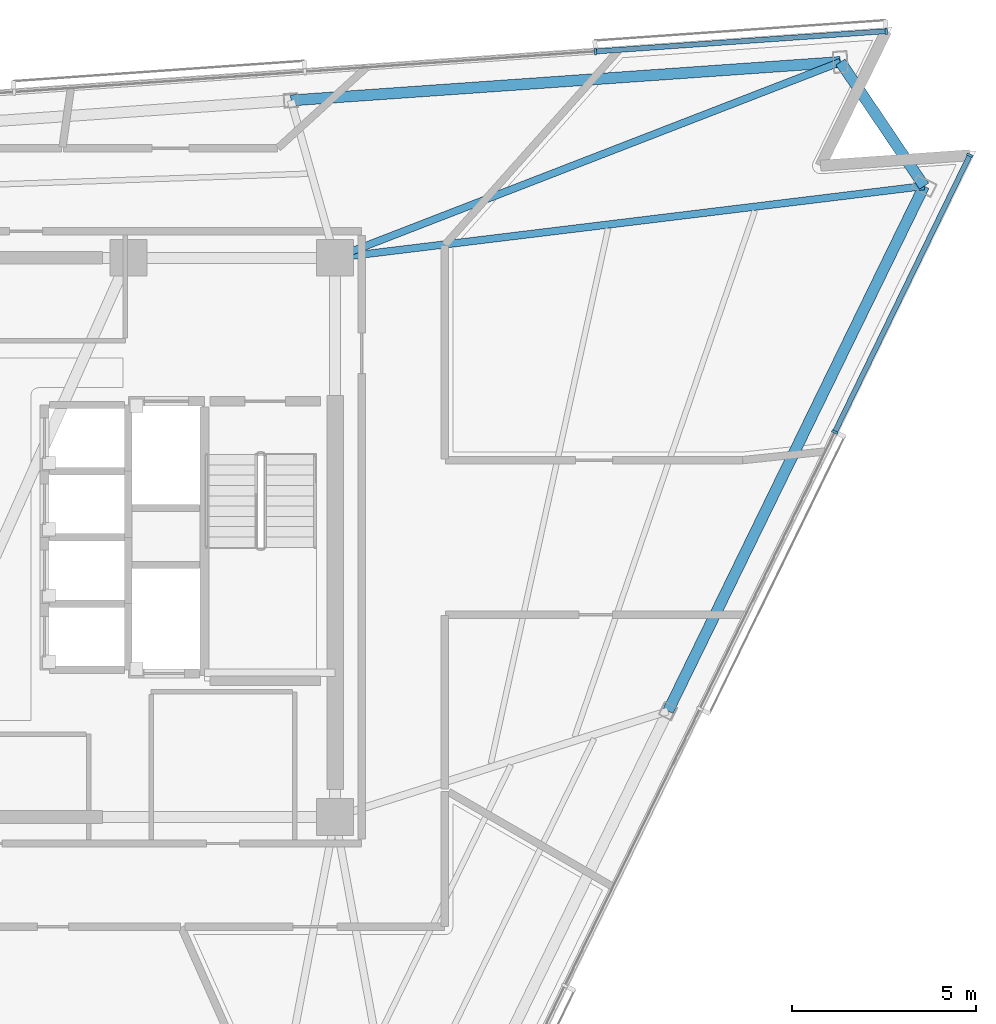
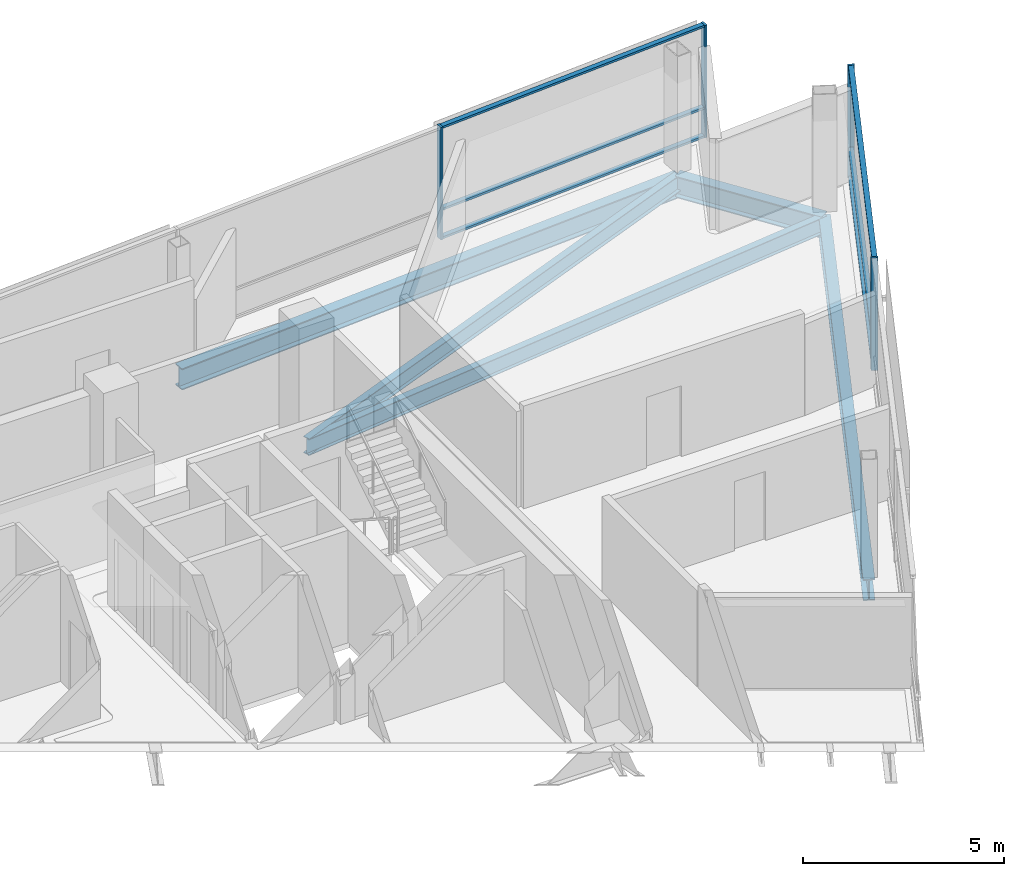
# One storey, part 7 of 16: 10 members, 5 beams, 2 elements without a shape of their own.
"""IFC4 building model written with IfcOpenShell, lengths in metres."""

from ifc_helpers import new_model, si_unit, direction, frame, origin, origin_2d, place, context, subcontext, project, spatial, rectangle, i_section, extrude, material, layer, layer_set, material_profile, profile_set, type_object, element, aggregate, save


model = new_model("IFC4")

# Units and contexts
model_context = context("Model", 3, precision=1e-05, world=origin(), true_north=direction((0.0, 1.0)))
body_context = subcontext(model_context, "Body", "Model", "MODEL_VIEW")
ifc_project = project(units=[si_unit("LENGTHUNIT", "METRE"), si_unit("AREAUNIT", "SQUARE_METRE"), si_unit("VOLUMEUNIT", "CUBIC_METRE"), si_unit("PLANEANGLEUNIT", "RADIAN"), si_unit("MASSUNIT", "GRAM", prefix="KILO")], contexts=[model_context])

# Site, building, storey
site_placement = place(None, origin())
site = spatial("IfcSite", under=ifc_project, at=site_placement, CompositionType="ELEMENT")
building_placement = place(site_placement, origin())
building = spatial("IfcBuilding", under=site, at=building_placement, Name="Tharavind Bronze Gate", CompositionType="ELEMENT")
storey_placement = place(building_placement, frame((0.0, 0.0, 260.60009765625)))
storey = spatial("IfcBuildingStorey", under=building, at=storey_placement, Name="L67", CompositionType="ELEMENT", Elevation=260.60009765625)

# Curtain wall, members
ifc_material_1 = material(Name="Anodised Bronze Aluminium", Category="aluminium")
ifc_layer = layer(ifc_material_1, 0.219970703125)
ifc_layer_set = layer_set([ifc_layer], Name="Anodised Bronze Aluminium")
curtain_wall_type = type_object("IfcCurtainWallType", Name="UNITISED CURTAIN WALL UPPER OFFICE", PredefinedType="USERDEFINED", material=ifc_layer_set)
curtain_wall_1_placement = place(storey_placement, origin())
curtain_wall_1 = element("IfcCurtainWall", 1, at=curtain_wall_1_placement, inside=storey, type_object=curtain_wall_type, Name="L67 unitised curtain wall upper office CW-L67-S2", ObjectType="UNITISED CURTAIN WALL", PredefinedType="USERDEFINED")
member_type_1 = type_object("IfcMemberType", Name="CURTAIN WALL BRONZE MULLION 65X180", PredefinedType="MULLION", material=ifc_material_1)
member_1_placement = place(storey_placement, frame((22.485107421875, 2.863525390625, 0.0), z_axis=(0.0, 0.0, 1.0), x_axis=(0.43837271548, 0.898793281196, 0.0)))
member_1 = element("IfcMember", 2, at=member_1_placement, type_object=member_type_1, Name="CW-L67-S2 mullion 6", PredefinedType="MULLION", context=body_context, shape_type="SweptSolid", body=[
    extrude(rectangle(XDim=0.06494140625, YDim=0.179931640625, at=origin_2d()), origin(), (0.0, 0.0, 1.0), 3.419921875),
])
member_2_placement = place(storey_placement, frame((26.1552734375, 10.388427734375, 0.0), z_axis=(0.0, 0.0, 1.0), x_axis=(0.43837271548, 0.898793281196, 0.0)))
member_2 = element("IfcMember", 3, at=member_2_placement, type_object=member_type_1, Name="CW-L67-S2 mullion 7", PredefinedType="MULLION", context=body_context, shape_type="SweptSolid", body=[
    extrude(rectangle(XDim=0.06494140625, YDim=0.179931640625, at=origin_2d()), origin(), (0.0, 0.0, 1.0), 3.419921875),
])

curtain_wall_2_placement = place(storey_placement, origin())
curtain_wall_2 = element("IfcCurtainWall", 4, at=curtain_wall_2_placement, inside=storey, type_object=curtain_wall_type, Name="L67 unitised curtain wall upper office CW-L67-S3", ObjectType="UNITISED CURTAIN WALL", PredefinedType="USERDEFINED")
member_3_placement = place(storey_placement, frame((23.880615234375, 13.760986328125, 0.0), z_axis=(0.0, 0.0, 1.0), x_axis=(-0.997563806758, -0.069759955899, 0.0)))
member_3 = element("IfcMember", 5, at=member_3_placement, type_object=member_type_1, Name="CW-L67-S3 mullion 1", PredefinedType="MULLION", context=body_context, shape_type="SweptSolid", body=[
    extrude(rectangle(XDim=0.06494140625, YDim=0.179931640625, at=origin_2d()), origin(), (0.0, 0.0, 1.0), 3.419921875),
])
member_4_placement = place(storey_placement, frame((15.9794921875, 13.20849609375, 0.0), z_axis=(0.0, 0.0, 1.0), x_axis=(-0.997563806758, -0.069759955899, 0.0)))
member_4 = element("IfcMember", 6, at=member_4_placement, type_object=member_type_1, Name="CW-L67-S3 mullion 2", PredefinedType="MULLION", context=body_context, shape_type="SweptSolid", body=[
    extrude(rectangle(XDim=0.06494140625, YDim=0.179931640625, at=origin_2d()), origin(), (0.0, 0.0, 1.0), 3.419921875),
])

# Member
member_type_2 = type_object("IfcMemberType", Name="CURTAIN WALL BRONZE TRANSOM 65X140", PredefinedType="USERDEFINED", material=ifc_material_1)
member_5_placement = place(storey_placement, frame((24.3203125, 6.6259765625, 0.0), z_axis=(0.0, 0.0, 1.0), x_axis=(0.43837271548, 0.898793281196, 0.0)))
member_5 = element("IfcMember", 7, at=member_5_placement, type_object=member_type_2, Name="CW-L67-S2 transom TB6", ObjectType="TRANSOM", PredefinedType="USERDEFINED", context=body_context, shape_type="SweptSolid", body=[
    extrude(rectangle(XDim=8.3193359375, YDim=0.139892578125, at=origin_2d()), origin(), (0.0, 0.0, 1.0), 0.06494140625),
])

member_6_placement = place(storey_placement, frame((24.3203125, 6.6259765625, 0.867431640625), z_axis=(0.0, 0.0, 1.0), x_axis=(0.43837271548, 0.898793281196, 0.0)))
member_6 = element("IfcMember", 8, at=member_6_placement, type_object=member_type_2, Name="CW-L67-S2 transom TS6", ObjectType="TRANSOM", PredefinedType="USERDEFINED", context=body_context, shape_type="SweptSolid", body=[
    extrude(rectangle(XDim=8.3193359375, YDim=0.139892578125, at=origin_2d()), origin(), (0.0, 0.0, 1.0), 0.06494140625),
])

member_7_placement = place(storey_placement, frame((24.3203125, 6.6259765625, 3.35498046875), z_axis=(0.0, 0.0, 1.0), x_axis=(0.43837271548, 0.898793281196, 0.0)))
member_7 = element("IfcMember", 9, at=member_7_placement, type_object=member_type_2, Name="CW-L67-S2 transom TT6", ObjectType="TRANSOM", PredefinedType="USERDEFINED", context=body_context, shape_type="SweptSolid", body=[
    extrude(rectangle(XDim=8.3193359375, YDim=0.139892578125, at=origin_2d()), origin(), (0.0, 0.0, 1.0), 0.06494140625),
])

aggregate(curtain_wall_1, [member_1, member_2, member_5, member_6, member_7])

member_8_placement = place(storey_placement, frame((19.929931640625, 13.48486328125, 0.0), z_axis=(0.0, 0.0, 1.0), x_axis=(-0.997563806758, -0.069759955899, 0.0)))
member_8 = element("IfcMember", 10, at=member_8_placement, type_object=member_type_2, Name="CW-L67-S3 transom TB1", ObjectType="TRANSOM", PredefinedType="USERDEFINED", context=body_context, shape_type="SweptSolid", body=[
    extrude(rectangle(XDim=7.8671875, YDim=0.139892578125, at=origin_2d()), origin(), (0.0, 0.0, 1.0), 0.06494140625),
])

member_9_placement = place(storey_placement, frame((19.929931640625, 13.48486328125, 0.867431640625), z_axis=(0.0, 0.0, 1.0), x_axis=(-0.997563806758, -0.069759955899, 0.0)))
member_9 = element("IfcMember", 11, at=member_9_placement, type_object=member_type_2, Name="CW-L67-S3 transom TS1", ObjectType="TRANSOM", PredefinedType="USERDEFINED", context=body_context, shape_type="SweptSolid", body=[
    extrude(rectangle(XDim=7.8671875, YDim=0.139892578125, at=origin_2d()), origin(), (0.0, 0.0, 1.0), 0.06494140625),
])

member_10_placement = place(storey_placement, frame((19.929931640625, 13.48486328125, 3.35498046875), z_axis=(0.0, 0.0, 1.0), x_axis=(-0.997563806758, -0.069759955899, 0.0)))
member_10 = element("IfcMember", 12, at=member_10_placement, type_object=member_type_2, Name="CW-L67-S3 transom TT1", ObjectType="TRANSOM", PredefinedType="USERDEFINED", context=body_context, shape_type="SweptSolid", body=[
    extrude(rectangle(XDim=7.8671875, YDim=0.139892578125, at=origin_2d()), origin(), (0.0, 0.0, 1.0), 0.06494140625),
])

aggregate(curtain_wall_2, [member_3, member_4, member_8, member_9, member_10])

# Beams
ifc_material_2 = material(Name="Steel S355", Category="steel")
ifc_material_profile_1 = material_profile(ifc_material_2, i_section(OverallWidth=0.300048828125, OverallDepth=0.64990234375, WebThickness=0.01611328125, FlangeThickness=0.031005859375, at=origin_2d()), Name="HE650B")
ifc_profile_set_1 = profile_set([ifc_material_profile_1], Name="Steel S355")
beam_type_1 = type_object("IfcBeamType", Name="PRIMARY GIRDER HE650B", PredefinedType="USERDEFINED", material=ifc_profile_set_1)
beam_1_placement = place(storey_placement, frame((17.950927734375, -4.721923828125, -0.505126953125), z_axis=(0.438366378116, 0.898796372121, 0.0), x_axis=(-0.898796372121, 0.438366378116, 0.0)))
element("IfcBeam", 13, at=beam_1_placement, inside=storey, type_object=beam_type_1, Name="L67 primary girder he650b BM-L67-PRG07", ObjectType="GIRDER", PredefinedType="USERDEFINED", context=body_context, shape_type="SweptSolid", body=[
    extrude(i_section(OverallWidth=0.300048828125, OverallDepth=0.64990234375, WebThickness=0.01611328125, FlangeThickness=0.031005859375, at=origin_2d()), origin(), (0.0, 0.0, 1.0), 15.878662109375),
])
beam_2_placement = place(storey_placement, frame((24.91162109375, 9.5498046875, -0.505126953125), z_axis=(-0.559165651986, 0.829055953262, 0.0), x_axis=(-0.829055953262, -0.559165651986, 0.0)))
element("IfcBeam", 14, at=beam_2_placement, inside=storey, type_object=beam_type_1, Name="L67 primary girder he650b BM-L67-PRG08", ObjectType="GIRDER", PredefinedType="USERDEFINED", context=body_context, shape_type="SweptSolid", body=[
    extrude(i_section(OverallWidth=0.300048828125, OverallDepth=0.64990234375, WebThickness=0.01611328125, FlangeThickness=0.031005859375, at=origin_2d()), origin(), (0.0, 0.0, 1.0), 4.06787109375),
])
beam_3_placement = place(storey_placement, frame((22.636962890625, 12.92236328125, -0.505126953125), z_axis=(-0.997563609873, -0.069762771286, 0.0), x_axis=(0.069762771286, -0.997563609873, 0.0)))
element("IfcBeam", 15, at=beam_3_placement, inside=storey, type_object=beam_type_1, Name="L67 primary girder he650b BM-L67-PRG09", ObjectType="GIRDER", PredefinedType="USERDEFINED", context=body_context, shape_type="SweptSolid", body=[
    extrude(i_section(OverallWidth=0.300048828125, OverallDepth=0.64990234375, WebThickness=0.01611328125, FlangeThickness=0.031005859375, at=origin_2d()), origin(), (0.0, 0.0, 1.0), 14.974609375),
])
ifc_material_profile_2 = material_profile(ifc_material_2, i_section(OverallWidth=0.199951171875, OverallDepth=0.5, WebThickness=0.01025390625, FlangeThickness=0.01611328125, at=origin_2d()), Name="IPE500")
ifc_profile_set_2 = profile_set([ifc_material_profile_2], Name="Steel S355")
beam_type_2 = type_object("IfcBeamType", Name="PRIMARY GIRDER IPE500", PredefinedType="USERDEFINED", material=ifc_profile_set_2)
beam_4_placement = place(storey_placement, frame((24.91162109375, 9.5498046875, -0.43017578125), z_axis=(-0.992667775401, -0.120874677579, 0.0), x_axis=(0.120874677579, -0.992667775401, 0.0)))
element("IfcBeam", 16, at=beam_4_placement, inside=storey, type_object=beam_type_2, Name="L67 primary girder ipe500 BM-L67-RAD08", ObjectType="GIRDER", PredefinedType="USERDEFINED", context=body_context, shape_type="SweptSolid", body=[
    extrude(i_section(OverallWidth=0.199951171875, OverallDepth=0.5, WebThickness=0.01025390625, FlangeThickness=0.01611328125, at=origin_2d()), origin(), (0.0, 0.0, 1.0), 16.1298828125),
])
beam_5_placement = place(storey_placement, frame((22.636962890625, 12.92236328125, -0.43017578125), z_axis=(-0.932460796057, -0.361271177672, 0.0), x_axis=(0.361271177672, -0.932460796057, 0.0)))
element("IfcBeam", 17, at=beam_5_placement, inside=storey, type_object=beam_type_2, Name="L67 primary girder ipe500 BM-L67-RAD09", ObjectType="GIRDER", PredefinedType="USERDEFINED", context=body_context, shape_type="SweptSolid", body=[
    extrude(i_section(OverallWidth=0.199951171875, OverallDepth=0.5, WebThickness=0.01025390625, FlangeThickness=0.01611328125, at=origin_2d()), origin(), (0.0, 0.0, 1.0), 14.73193359375),
])

save(model, "model.ifc")
